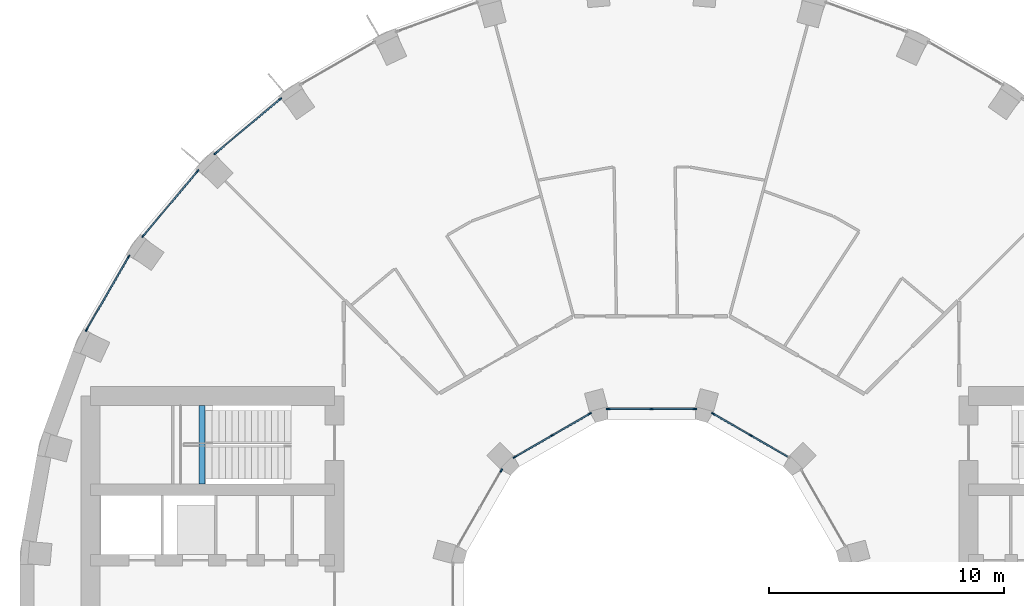
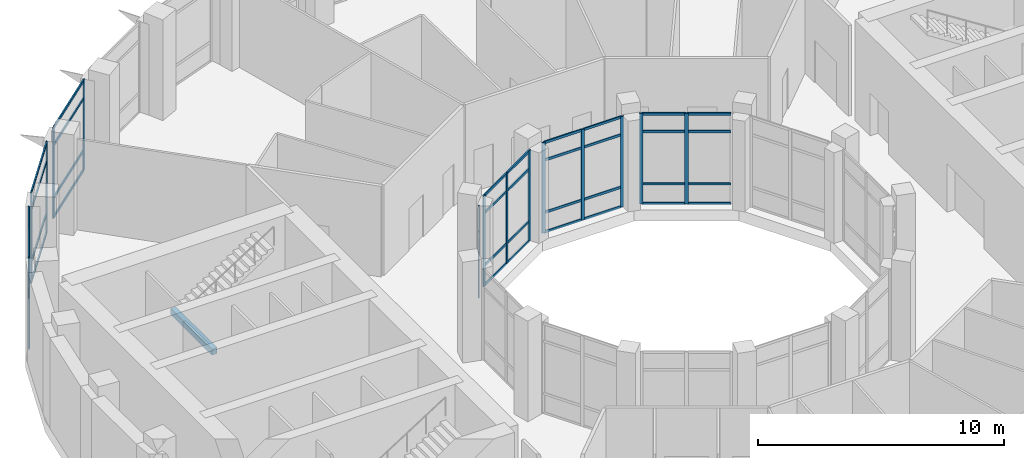
# One storey, part 6 of 18: 51 members, 1 beam, 7 elements without a shape of their own.
"""IFC4 building model written with IfcOpenShell, lengths in metres."""

from ifc_helpers import new_model, si_unit, direction, frame, origin, origin_2d, place, context, subcontext, project, spatial, rectangle, extrude, material, layer, layer_set, material_profile, profile_set, type_object, element, aggregate, save


model = new_model("IFC4")

# Units and contexts
model_context = context("Model", 3, precision=1e-05, world=origin(), true_north=direction((0.0, 1.0)))
body_context = subcontext(model_context, "Body", "Model", "MODEL_VIEW")
ifc_project = project(units=[si_unit("LENGTHUNIT", "METRE"), si_unit("AREAUNIT", "SQUARE_METRE"), si_unit("VOLUMEUNIT", "CUBIC_METRE"), si_unit("PLANEANGLEUNIT", "RADIAN"), si_unit("MASSUNIT", "GRAM", prefix="KILO")], contexts=[model_context])

# Site, building, storey
site_placement = place(None, origin())
site = spatial("IfcSite", under=ifc_project, at=site_placement, CompositionType="ELEMENT")
building_placement = place(site_placement, origin())
building = spatial("IfcBuilding", under=site, at=building_placement, Name="Saqina Gate Tower", CompositionType="ELEMENT")
storey_placement = place(building_placement, frame((0.0, 0.0, 86.89990234375)))
storey = spatial("IfcBuildingStorey", under=building, at=storey_placement, Name="L24", CompositionType="ELEMENT", Elevation=86.89990234375)

# Curtain wall, members
ifc_material_1 = material(Name="Aluminium glazing", Category="aluminium")
ifc_layer_1 = layer(ifc_material_1, 0.159912109375)
ifc_layer_set_1 = layer_set([ifc_layer_1], Name="CWT-2")
curtain_wall_type_1 = type_object("IfcCurtainWallType", Name="CWT-2", PredefinedType="NOTDEFINED", material=ifc_layer_set_1)
curtain_wall_1_placement = place(storey_placement, origin())
curtain_wall_1 = element("IfcCurtainWall", 1, at=curtain_wall_1_placement, inside=storey, type_object=curtain_wall_type_1, Name="Sky lounge glazing facet 13", PredefinedType="NOTDEFINED")
ifc_material_2 = material(Name="Aluminium", Category="aluminium")
ifc_material_profile_1 = material_profile(ifc_material_2, rectangle(XDim=0.06005859375, YDim=0.159912109375, at=origin_2d()), Name="Aluminium 60x160")
ifc_profile_set_1 = profile_set([ifc_material_profile_1], Name="Aluminium")
member_type_1 = type_object("IfcMemberType", Name="CWT-2M", PredefinedType="MULLION", material=ifc_profile_set_1)
member_1_placement = place(storey_placement, frame((-15.818603515625, 21.642822265625, 0.0), z_axis=(0.0, 0.0, 1.0), x_axis=(0.642790825553, -0.766041744675, 0.0)))
member_1 = element("IfcMember", 2, at=member_1_placement, type_object=member_type_1, Name="CW2-13 mullion 1", PredefinedType="MULLION", context=body_context, shape_type="SweptSolid", body=[
    extrude(rectangle(XDim=0.06005859375, YDim=0.159912109375, at=origin_2d()), origin(), (0.0, 0.0, 1.0), 4.5),
])
member_2_placement = place(storey_placement, frame((-18.567138671875, 19.33642578125, 0.0), z_axis=(0.0, 0.0, 1.0), x_axis=(0.642790825553, -0.766041744675, 0.0)))
member_2 = element("IfcMember", 3, at=member_2_placement, type_object=member_type_1, Name="CW2-13 mullion 2", PredefinedType="MULLION", context=body_context, shape_type="SweptSolid", body=[
    extrude(rectangle(XDim=0.06005859375, YDim=0.159912109375, at=origin_2d()), origin(), (0.0, 0.0, 1.0), 4.5),
])

curtain_wall_2_placement = place(storey_placement, origin())
curtain_wall_2 = element("IfcCurtainWall", 4, at=curtain_wall_2_placement, inside=storey, type_object=curtain_wall_type_1, Name="Sky lounge glazing facet 14", PredefinedType="NOTDEFINED")
member_3_placement = place(storey_placement, frame((-19.33642578125, 18.567138671875, 0.0), z_axis=(0.0, 0.0, 1.0), x_axis=(0.766041744675, -0.642790825553, 0.0)))
member_3 = element("IfcMember", 5, at=member_3_placement, type_object=member_type_1, Name="CW2-14 mullion 1", PredefinedType="MULLION", context=body_context, shape_type="SweptSolid", body=[
    extrude(rectangle(XDim=0.06005859375, YDim=0.159912109375, at=origin_2d()), origin(), (0.0, 0.0, 1.0), 4.5),
])
member_4_placement = place(storey_placement, frame((-21.642822265625, 15.818603515625, 0.0), z_axis=(0.0, 0.0, 1.0), x_axis=(0.766041744675, -0.642790825553, 0.0)))
member_4 = element("IfcMember", 6, at=member_4_placement, type_object=member_type_1, Name="CW2-14 mullion 2", PredefinedType="MULLION", context=body_context, shape_type="SweptSolid", body=[
    extrude(rectangle(XDim=0.06005859375, YDim=0.159912109375, at=origin_2d()), origin(), (0.0, 0.0, 1.0), 4.5),
])

curtain_wall_3_placement = place(storey_placement, origin())
curtain_wall_3 = element("IfcCurtainWall", 7, at=curtain_wall_3_placement, inside=storey, type_object=curtain_wall_type_1, Name="Sky lounge glazing facet 15", PredefinedType="NOTDEFINED")
member_5_placement = place(storey_placement, frame((-22.266845703125, 14.92724609375, 0.0), z_axis=(0.0, 0.0, 1.0), x_axis=(0.86602626266, -0.499998512381, 0.0)))
member_5 = element("IfcMember", 8, at=member_5_placement, type_object=member_type_1, Name="CW2-15 mullion 1", PredefinedType="MULLION", context=body_context, shape_type="SweptSolid", body=[
    extrude(rectangle(XDim=0.06005859375, YDim=0.159912109375, at=origin_2d()), origin(), (0.0, 0.0, 1.0), 4.5),
])
member_6_placement = place(storey_placement, frame((-24.060791015625, 11.820068359375, 0.0), z_axis=(0.0, 0.0, 1.0), x_axis=(0.86602626266, -0.499998512381, 0.0)))
member_6 = element("IfcMember", 9, at=member_6_placement, type_object=member_type_1, Name="CW2-15 mullion 2", PredefinedType="MULLION", context=body_context, shape_type="SweptSolid", body=[
    extrude(rectangle(XDim=0.06005859375, YDim=0.159912109375, at=origin_2d()), origin(), (0.0, 0.0, 1.0), 4.5),
])

# Member
ifc_material_3 = material(Name="Aluminium", Category="aluminium")
ifc_material_profile_2 = material_profile(ifc_material_3, rectangle(XDim=0.06005859375, YDim=0.1201171875, at=origin_2d()), Name="Aluminium 60x120")
ifc_profile_set_2 = profile_set([ifc_material_profile_2], Name="Aluminium")
member_type_2 = type_object("IfcMemberType", Name="CWT-2T", PredefinedType="USERDEFINED", material=ifc_profile_set_2)
member_7_placement = place(storey_placement, frame((-15.841552734375, 21.62353515625, 0.030029296875), z_axis=(-0.766010155434, -0.642828469945, 0.0), x_axis=(0.642828469945, -0.766010155434, 0.0)))
member_7 = element("IfcMember", 10, at=member_7_placement, type_object=member_type_2, Name="CW2-13 transom 1.1", ObjectType="TRANSOM", PredefinedType="USERDEFINED", context=body_context, shape_type="SweptSolid", body=[
    extrude(rectangle(XDim=0.06005859375, YDim=0.1201171875, at=origin_2d()), origin(), (0.0, 0.0, 1.0), 3.52783203125),
])

member_8_placement = place(storey_placement, frame((-15.841552734375, 21.62353515625, 1.0), z_axis=(-0.766010155434, -0.642828469945, 0.0), x_axis=(0.642828469945, -0.766010155434, 0.0)))
member_8 = element("IfcMember", 11, at=member_8_placement, type_object=member_type_2, Name="CW2-13 transom 1.2", ObjectType="TRANSOM", PredefinedType="USERDEFINED", context=body_context, shape_type="SweptSolid", body=[
    extrude(rectangle(XDim=0.06005859375, YDim=0.1201171875, at=origin_2d()), origin(), (0.0, 0.0, 1.0), 3.52783203125),
])

member_9_placement = place(storey_placement, frame((-15.841552734375, 21.62353515625, 3.60009765625), z_axis=(-0.766010155434, -0.642828469945, 0.0), x_axis=(0.642828469945, -0.766010155434, 0.0)))
member_9 = element("IfcMember", 12, at=member_9_placement, type_object=member_type_2, Name="CW2-13 transom 1.3", ObjectType="TRANSOM", PredefinedType="USERDEFINED", context=body_context, shape_type="SweptSolid", body=[
    extrude(rectangle(XDim=0.06005859375, YDim=0.1201171875, at=origin_2d()), origin(), (0.0, 0.0, 1.0), 3.52783203125),
])

member_10_placement = place(storey_placement, frame((-15.841552734375, 21.62353515625, 4.47021484375), z_axis=(-0.766010155434, -0.642828469945, 0.0), x_axis=(0.642828469945, -0.766010155434, 0.0)))
member_10 = element("IfcMember", 13, at=member_10_placement, type_object=member_type_2, Name="CW2-13 transom 1.4", ObjectType="TRANSOM", PredefinedType="USERDEFINED", context=body_context, shape_type="SweptSolid", body=[
    extrude(rectangle(XDim=0.06005859375, YDim=0.1201171875, at=origin_2d()), origin(), (0.0, 0.0, 1.0), 3.52783203125),
])

aggregate(curtain_wall_1, [member_1, member_2, member_7, member_8, member_9, member_10])

member_11_placement = place(storey_placement, frame((-19.355712890625, 18.5439453125, 0.030029296875), z_axis=(-0.642828469945, -0.766010155434, 0.0), x_axis=(0.766010155434, -0.642828469945, 0.0)))
member_11 = element("IfcMember", 14, at=member_11_placement, type_object=member_type_2, Name="CW2-14 transom 1.1", ObjectType="TRANSOM", PredefinedType="USERDEFINED", context=body_context, shape_type="SweptSolid", body=[
    extrude(rectangle(XDim=0.06005859375, YDim=0.1201171875, at=origin_2d()), origin(), (0.0, 0.0, 1.0), 3.52783203125),
])

member_12_placement = place(storey_placement, frame((-19.355712890625, 18.5439453125, 1.0), z_axis=(-0.642828469945, -0.766010155434, 0.0), x_axis=(0.766010155434, -0.642828469945, 0.0)))
member_12 = element("IfcMember", 15, at=member_12_placement, type_object=member_type_2, Name="CW2-14 transom 1.2", ObjectType="TRANSOM", PredefinedType="USERDEFINED", context=body_context, shape_type="SweptSolid", body=[
    extrude(rectangle(XDim=0.06005859375, YDim=0.1201171875, at=origin_2d()), origin(), (0.0, 0.0, 1.0), 3.52783203125),
])

member_13_placement = place(storey_placement, frame((-19.355712890625, 18.5439453125, 3.60009765625), z_axis=(-0.642828469945, -0.766010155434, 0.0), x_axis=(0.766010155434, -0.642828469945, 0.0)))
member_13 = element("IfcMember", 16, at=member_13_placement, type_object=member_type_2, Name="CW2-14 transom 1.3", ObjectType="TRANSOM", PredefinedType="USERDEFINED", context=body_context, shape_type="SweptSolid", body=[
    extrude(rectangle(XDim=0.06005859375, YDim=0.1201171875, at=origin_2d()), origin(), (0.0, 0.0, 1.0), 3.52783203125),
])

member_14_placement = place(storey_placement, frame((-19.355712890625, 18.5439453125, 4.47021484375), z_axis=(-0.642828469945, -0.766010155434, 0.0), x_axis=(0.766010155434, -0.642828469945, 0.0)))
member_14 = element("IfcMember", 17, at=member_14_placement, type_object=member_type_2, Name="CW2-14 transom 1.4", ObjectType="TRANSOM", PredefinedType="USERDEFINED", context=body_context, shape_type="SweptSolid", body=[
    extrude(rectangle(XDim=0.06005859375, YDim=0.1201171875, at=origin_2d()), origin(), (0.0, 0.0, 1.0), 3.52783203125),
])

aggregate(curtain_wall_2, [member_3, member_4, member_11, member_12, member_13, member_14])

member_15_placement = place(storey_placement, frame((-22.281982421875, 14.901123046875, 0.030029296875), z_axis=(-0.500002010285, -0.866024243143, 0.0), x_axis=(0.866024243143, -0.500002010285, 0.0)))
member_15 = element("IfcMember", 18, at=member_15_placement, type_object=member_type_2, Name="CW2-15 transom 1.1", ObjectType="TRANSOM", PredefinedType="USERDEFINED", context=body_context, shape_type="SweptSolid", body=[
    extrude(rectangle(XDim=0.06005859375, YDim=0.1201171875, at=origin_2d()), origin(), (0.0, 0.0, 1.0), 3.52783203125),
])

member_16_placement = place(storey_placement, frame((-22.281982421875, 14.901123046875, 1.0), z_axis=(-0.500002010285, -0.866024243143, 0.0), x_axis=(0.866024243143, -0.500002010285, 0.0)))
member_16 = element("IfcMember", 19, at=member_16_placement, type_object=member_type_2, Name="CW2-15 transom 1.2", ObjectType="TRANSOM", PredefinedType="USERDEFINED", context=body_context, shape_type="SweptSolid", body=[
    extrude(rectangle(XDim=0.06005859375, YDim=0.1201171875, at=origin_2d()), origin(), (0.0, 0.0, 1.0), 3.52783203125),
])

member_17_placement = place(storey_placement, frame((-22.281982421875, 14.901123046875, 3.60009765625), z_axis=(-0.500002010285, -0.866024243143, 0.0), x_axis=(0.866024243143, -0.500002010285, 0.0)))
member_17 = element("IfcMember", 20, at=member_17_placement, type_object=member_type_2, Name="CW2-15 transom 1.3", ObjectType="TRANSOM", PredefinedType="USERDEFINED", context=body_context, shape_type="SweptSolid", body=[
    extrude(rectangle(XDim=0.06005859375, YDim=0.1201171875, at=origin_2d()), origin(), (0.0, 0.0, 1.0), 3.52783203125),
])

member_18_placement = place(storey_placement, frame((-22.281982421875, 14.901123046875, 4.47021484375), z_axis=(-0.500002010285, -0.866024243143, 0.0), x_axis=(0.866024243143, -0.500002010285, 0.0)))
member_18 = element("IfcMember", 21, at=member_18_placement, type_object=member_type_2, Name="CW2-15 transom 1.4", ObjectType="TRANSOM", PredefinedType="USERDEFINED", context=body_context, shape_type="SweptSolid", body=[
    extrude(rectangle(XDim=0.06005859375, YDim=0.1201171875, at=origin_2d()), origin(), (0.0, 0.0, 1.0), 3.52783203125),
])

aggregate(curtain_wall_3, [member_5, member_6, member_15, member_16, member_17, member_18])

# Curtain wall, members
ifc_material_4 = material(Name="Aluminium glazing", Category="aluminium")
ifc_layer_2 = layer(ifc_material_4, 0.159912109375)
ifc_layer_set_2 = layer_set([ifc_layer_2], Name="CWT-3")
curtain_wall_type_2 = type_object("IfcCurtainWallType", Name="CWT-3", PredefinedType="NOTDEFINED", material=ifc_layer_set_2)
curtain_wall_4_placement = place(storey_placement, origin())
curtain_wall_4 = element("IfcCurtainWall", 22, at=curtain_wall_4_placement, inside=storey, type_object=curtain_wall_type_2, Name="Sky lounge well glazing L24 facet 2", PredefinedType="NOTDEFINED")
ifc_material_5 = material(Name="Aluminium", Category="aluminium")
ifc_material_profile_3 = material_profile(ifc_material_5, rectangle(XDim=0.06005859375, YDim=0.159912109375, at=origin_2d()), Name="Aluminium 60x160")
ifc_profile_set_3 = profile_set([ifc_material_profile_3], Name="Aluminium")
member_type_3 = type_object("IfcMemberType", Name="CWT-3M", PredefinedType="MULLION", material=ifc_profile_set_3)
member_19_placement = place(storey_placement, frame((4.22509765625, 7.31787109375, 0.0), z_axis=(0.0, 0.0, 1.0), x_axis=(-0.499993482823, -0.866029166445, 0.0)))
member_19 = element("IfcMember", 23, at=member_19_placement, type_object=member_type_3, Name="CW3-02 mullion 2", PredefinedType="MULLION", context=body_context, shape_type="SweptSolid", body=[
    extrude(rectangle(XDim=0.06005859375, YDim=0.159912109375, at=origin_2d()), origin(), (0.0, 0.0, 1.0), 4.5),
])
member_20_placement = place(storey_placement, frame((2.628173828125, 8.23974609375, 0.0), z_axis=(0.0, 0.0, 1.0), x_axis=(-0.499993482823, -0.866029166445, 0.0)))
member_20 = element("IfcMember", 24, at=member_20_placement, type_object=member_type_3, Name="CW3-02 mullion 3", PredefinedType="MULLION", context=body_context, shape_type="SweptSolid", body=[
    extrude(rectangle(XDim=0.06005859375, YDim=0.159912109375, at=origin_2d()), origin(), (0.0, 0.0, 1.0), 4.5),
])

curtain_wall_5_placement = place(storey_placement, origin())
curtain_wall_5 = element("IfcCurtainWall", 25, at=curtain_wall_5_placement, inside=storey, type_object=curtain_wall_type_2, Name="Sky lounge well glazing L24 facet 3", PredefinedType="NOTDEFINED")
member_21_placement = place(storey_placement, frame((1.84375, 8.449951171875, 0.0), z_axis=(0.0, 0.0, 1.0), x_axis=(0.0, -1.0, 0.0)))
member_21 = element("IfcMember", 26, at=member_21_placement, type_object=member_type_3, Name="CW3-03 mullion 1", PredefinedType="MULLION", context=body_context, shape_type="SweptSolid", body=[
    extrude(rectangle(XDim=0.06005859375, YDim=0.159912109375, at=origin_2d()), origin(), (0.0, 0.0, 1.0), 4.5),
])
member_22_placement = place(storey_placement, frame((0.0, 8.449951171875, 0.0), z_axis=(0.0, 0.0, 1.0), x_axis=(0.0, -1.0, 0.0)))
member_22 = element("IfcMember", 27, at=member_22_placement, type_object=member_type_3, Name="CW3-03 mullion 2", PredefinedType="MULLION", context=body_context, shape_type="SweptSolid", body=[
    extrude(rectangle(XDim=0.06005859375, YDim=0.159912109375, at=origin_2d()), origin(), (0.0, 0.0, 1.0), 4.5),
])
member_23_placement = place(storey_placement, frame((-1.84375, 8.449951171875, 0.0), z_axis=(0.0, 0.0, 1.0), x_axis=(0.0, -1.0, 0.0)))
member_23 = element("IfcMember", 28, at=member_23_placement, type_object=member_type_3, Name="CW3-03 mullion 3", PredefinedType="MULLION", context=body_context, shape_type="SweptSolid", body=[
    extrude(rectangle(XDim=0.06005859375, YDim=0.159912109375, at=origin_2d()), origin(), (0.0, 0.0, 1.0), 4.5),
])

curtain_wall_6_placement = place(storey_placement, origin())
curtain_wall_6 = element("IfcCurtainWall", 29, at=curtain_wall_6_placement, inside=storey, type_object=curtain_wall_type_2, Name="Sky lounge well glazing L24 facet 4", PredefinedType="NOTDEFINED")
member_24_placement = place(storey_placement, frame((-2.628173828125, 8.23974609375, 0.0), z_axis=(0.0, 0.0, 1.0), x_axis=(0.499993482823, -0.866029166445, 0.0)))
member_24 = element("IfcMember", 30, at=member_24_placement, type_object=member_type_3, Name="CW3-04 mullion 1", PredefinedType="MULLION", context=body_context, shape_type="SweptSolid", body=[
    extrude(rectangle(XDim=0.06005859375, YDim=0.159912109375, at=origin_2d()), origin(), (0.0, 0.0, 1.0), 4.5),
])
member_25_placement = place(storey_placement, frame((-4.22509765625, 7.31787109375, 0.0), z_axis=(0.0, 0.0, 1.0), x_axis=(0.499993482823, -0.866029166445, 0.0)))
member_25 = element("IfcMember", 31, at=member_25_placement, type_object=member_type_3, Name="CW3-04 mullion 2", PredefinedType="MULLION", context=body_context, shape_type="SweptSolid", body=[
    extrude(rectangle(XDim=0.06005859375, YDim=0.159912109375, at=origin_2d()), origin(), (0.0, 0.0, 1.0), 4.5),
])
member_26_placement = place(storey_placement, frame((-5.82177734375, 6.39599609375, 0.0), z_axis=(0.0, 0.0, 1.0), x_axis=(0.499993482823, -0.866029166445, 0.0)))
member_26 = element("IfcMember", 32, at=member_26_placement, type_object=member_type_3, Name="CW3-04 mullion 3", PredefinedType="MULLION", context=body_context, shape_type="SweptSolid", body=[
    extrude(rectangle(XDim=0.06005859375, YDim=0.159912109375, at=origin_2d()), origin(), (0.0, 0.0, 1.0), 4.5),
])

# Curtain wall, member
curtain_wall_7_placement = place(storey_placement, origin())
curtain_wall_7 = element("IfcCurtainWall", 33, at=curtain_wall_7_placement, inside=storey, type_object=curtain_wall_type_2, Name="Sky lounge well glazing L24 facet 5", PredefinedType="NOTDEFINED")
member_27_placement = place(storey_placement, frame((-6.39599609375, 5.82177734375, 0.0), z_axis=(0.0, 0.0, 1.0), x_axis=(0.866029166445, -0.499993482823, 0.0)))
member_27 = element("IfcMember", 34, at=member_27_placement, type_object=member_type_3, Name="CW3-05 mullion 1", PredefinedType="MULLION", context=body_context, shape_type="SweptSolid", body=[
    extrude(rectangle(XDim=0.06005859375, YDim=0.159912109375, at=origin_2d()), origin(), (0.0, 0.0, 1.0), 4.5),
])
aggregate(curtain_wall_7, [member_27])

# Member
ifc_material_6 = material(Name="Aluminium", Category="aluminium")
ifc_material_profile_4 = material_profile(ifc_material_6, rectangle(XDim=0.06005859375, YDim=0.1201171875, at=origin_2d()), Name="Aluminium 60x120")
ifc_profile_set_4 = profile_set([ifc_material_profile_4], Name="Aluminium")
member_type_4 = type_object("IfcMemberType", Name="CWT-3T", PredefinedType="USERDEFINED", material=ifc_profile_set_4)
member_28_placement = place(storey_placement, frame((5.795654296875, 6.4111328125, 0.030029296875), z_axis=(-0.866019189511, 0.500010763282, 0.0), x_axis=(-0.500010763282, -0.866019189511, 0.0)))
member_28 = element("IfcMember", 35, at=member_28_placement, type_object=member_type_4, Name="CW3-02 transom 1.1", ObjectType="TRANSOM", PredefinedType="USERDEFINED", context=body_context, shape_type="SweptSolid", body=[
    extrude(rectangle(XDim=0.06005859375, YDim=0.1201171875, at=origin_2d()), origin(), (0.0, 0.0, 1.0), 1.78369140625),
])

member_29_placement = place(storey_placement, frame((5.795654296875, 6.4111328125, 1.0), z_axis=(-0.866019189511, 0.500010763282, 0.0), x_axis=(-0.500010763282, -0.866019189511, 0.0)))
member_29 = element("IfcMember", 36, at=member_29_placement, type_object=member_type_4, Name="CW3-02 transom 1.2", ObjectType="TRANSOM", PredefinedType="USERDEFINED", context=body_context, shape_type="SweptSolid", body=[
    extrude(rectangle(XDim=0.06005859375, YDim=0.1201171875, at=origin_2d()), origin(), (0.0, 0.0, 1.0), 1.78369140625),
])

member_30_placement = place(storey_placement, frame((5.795654296875, 6.4111328125, 3.60009765625), z_axis=(-0.866019189511, 0.500010763282, 0.0), x_axis=(-0.500010763282, -0.866019189511, 0.0)))
member_30 = element("IfcMember", 37, at=member_30_placement, type_object=member_type_4, Name="CW3-02 transom 1.3", ObjectType="TRANSOM", PredefinedType="USERDEFINED", context=body_context, shape_type="SweptSolid", body=[
    extrude(rectangle(XDim=0.06005859375, YDim=0.1201171875, at=origin_2d()), origin(), (0.0, 0.0, 1.0), 1.78369140625),
])

member_31_placement = place(storey_placement, frame((5.795654296875, 6.4111328125, 4.47021484375), z_axis=(-0.866019189511, 0.500010763282, 0.0), x_axis=(-0.500010763282, -0.866019189511, 0.0)))
member_31 = element("IfcMember", 38, at=member_31_placement, type_object=member_type_4, Name="CW3-02 transom 1.4", ObjectType="TRANSOM", PredefinedType="USERDEFINED", context=body_context, shape_type="SweptSolid", body=[
    extrude(rectangle(XDim=0.06005859375, YDim=0.1201171875, at=origin_2d()), origin(), (0.0, 0.0, 1.0), 1.78369140625),
])

member_32_placement = place(storey_placement, frame((4.198974609375, 7.3330078125, 0.030029296875), z_axis=(-0.866019189511, 0.500010763282, 0.0), x_axis=(-0.500010763282, -0.866019189511, 0.0)))
member_32 = element("IfcMember", 39, at=member_32_placement, type_object=member_type_4, Name="CW3-02 transom 2.1", ObjectType="TRANSOM", PredefinedType="USERDEFINED", context=body_context, shape_type="SweptSolid", body=[
    extrude(rectangle(XDim=0.06005859375, YDim=0.1201171875, at=origin_2d()), origin(), (0.0, 0.0, 1.0), 1.78369140625),
])

member_33_placement = place(storey_placement, frame((4.198974609375, 7.3330078125, 1.0), z_axis=(-0.866019189511, 0.500010763282, 0.0), x_axis=(-0.500010763282, -0.866019189511, 0.0)))
member_33 = element("IfcMember", 40, at=member_33_placement, type_object=member_type_4, Name="CW3-02 transom 2.2", ObjectType="TRANSOM", PredefinedType="USERDEFINED", context=body_context, shape_type="SweptSolid", body=[
    extrude(rectangle(XDim=0.06005859375, YDim=0.1201171875, at=origin_2d()), origin(), (0.0, 0.0, 1.0), 1.78369140625),
])

member_34_placement = place(storey_placement, frame((4.198974609375, 7.3330078125, 3.60009765625), z_axis=(-0.866019189511, 0.500010763282, 0.0), x_axis=(-0.500010763282, -0.866019189511, 0.0)))
member_34 = element("IfcMember", 41, at=member_34_placement, type_object=member_type_4, Name="CW3-02 transom 2.3", ObjectType="TRANSOM", PredefinedType="USERDEFINED", context=body_context, shape_type="SweptSolid", body=[
    extrude(rectangle(XDim=0.06005859375, YDim=0.1201171875, at=origin_2d()), origin(), (0.0, 0.0, 1.0), 1.78369140625),
])

member_35_placement = place(storey_placement, frame((4.198974609375, 7.3330078125, 4.47021484375), z_axis=(-0.866019189511, 0.500010763282, 0.0), x_axis=(-0.500010763282, -0.866019189511, 0.0)))
member_35 = element("IfcMember", 42, at=member_35_placement, type_object=member_type_4, Name="CW3-02 transom 2.4", ObjectType="TRANSOM", PredefinedType="USERDEFINED", context=body_context, shape_type="SweptSolid", body=[
    extrude(rectangle(XDim=0.06005859375, YDim=0.1201171875, at=origin_2d()), origin(), (0.0, 0.0, 1.0), 1.78369140625),
])

aggregate(curtain_wall_4, [member_19, member_20, member_28, member_29, member_30, member_31, member_32, member_33, member_34, member_35])

member_36_placement = place(storey_placement, frame((1.813720703125, 8.449951171875, 0.030029296875), z_axis=(-1.0, 0.0, 0.0), x_axis=(0.0, -1.0, 0.0)))
member_36 = element("IfcMember", 43, at=member_36_placement, type_object=member_type_4, Name="CW3-03 transom 1.1", ObjectType="TRANSOM", PredefinedType="USERDEFINED", context=body_context, shape_type="SweptSolid", body=[
    extrude(rectangle(XDim=0.06005859375, YDim=0.1201171875, at=origin_2d()), origin(), (0.0, 0.0, 1.0), 1.78369140625),
])

member_37_placement = place(storey_placement, frame((1.813720703125, 8.449951171875, 1.0), z_axis=(-1.0, 0.0, 0.0), x_axis=(0.0, -1.0, 0.0)))
member_37 = element("IfcMember", 44, at=member_37_placement, type_object=member_type_4, Name="CW3-03 transom 1.2", ObjectType="TRANSOM", PredefinedType="USERDEFINED", context=body_context, shape_type="SweptSolid", body=[
    extrude(rectangle(XDim=0.06005859375, YDim=0.1201171875, at=origin_2d()), origin(), (0.0, 0.0, 1.0), 1.78369140625),
])

member_38_placement = place(storey_placement, frame((1.813720703125, 8.449951171875, 3.60009765625), z_axis=(-1.0, 0.0, 0.0), x_axis=(0.0, -1.0, 0.0)))
member_38 = element("IfcMember", 45, at=member_38_placement, type_object=member_type_4, Name="CW3-03 transom 1.3", ObjectType="TRANSOM", PredefinedType="USERDEFINED", context=body_context, shape_type="SweptSolid", body=[
    extrude(rectangle(XDim=0.06005859375, YDim=0.1201171875, at=origin_2d()), origin(), (0.0, 0.0, 1.0), 1.78369140625),
])

member_39_placement = place(storey_placement, frame((1.813720703125, 8.449951171875, 4.47021484375), z_axis=(-1.0, 0.0, 0.0), x_axis=(0.0, -1.0, 0.0)))
member_39 = element("IfcMember", 46, at=member_39_placement, type_object=member_type_4, Name="CW3-03 transom 1.4", ObjectType="TRANSOM", PredefinedType="USERDEFINED", context=body_context, shape_type="SweptSolid", body=[
    extrude(rectangle(XDim=0.06005859375, YDim=0.1201171875, at=origin_2d()), origin(), (0.0, 0.0, 1.0), 1.78369140625),
])

member_40_placement = place(storey_placement, frame((-0.030029296875, 8.449951171875, 0.030029296875), z_axis=(-1.0, 0.0, 0.0), x_axis=(0.0, -1.0, 0.0)))
member_40 = element("IfcMember", 47, at=member_40_placement, type_object=member_type_4, Name="CW3-03 transom 2.1", ObjectType="TRANSOM", PredefinedType="USERDEFINED", context=body_context, shape_type="SweptSolid", body=[
    extrude(rectangle(XDim=0.06005859375, YDim=0.1201171875, at=origin_2d()), origin(), (0.0, 0.0, 1.0), 1.78369140625),
])

member_41_placement = place(storey_placement, frame((-0.030029296875, 8.449951171875, 1.0), z_axis=(-1.0, 0.0, 0.0), x_axis=(0.0, -1.0, 0.0)))
member_41 = element("IfcMember", 48, at=member_41_placement, type_object=member_type_4, Name="CW3-03 transom 2.2", ObjectType="TRANSOM", PredefinedType="USERDEFINED", context=body_context, shape_type="SweptSolid", body=[
    extrude(rectangle(XDim=0.06005859375, YDim=0.1201171875, at=origin_2d()), origin(), (0.0, 0.0, 1.0), 1.78369140625),
])

member_42_placement = place(storey_placement, frame((-0.030029296875, 8.449951171875, 3.60009765625), z_axis=(-1.0, 0.0, 0.0), x_axis=(0.0, -1.0, 0.0)))
member_42 = element("IfcMember", 49, at=member_42_placement, type_object=member_type_4, Name="CW3-03 transom 2.3", ObjectType="TRANSOM", PredefinedType="USERDEFINED", context=body_context, shape_type="SweptSolid", body=[
    extrude(rectangle(XDim=0.06005859375, YDim=0.1201171875, at=origin_2d()), origin(), (0.0, 0.0, 1.0), 1.78369140625),
])

member_43_placement = place(storey_placement, frame((-0.030029296875, 8.449951171875, 4.47021484375), z_axis=(-1.0, 0.0, 0.0), x_axis=(0.0, -1.0, 0.0)))
member_43 = element("IfcMember", 50, at=member_43_placement, type_object=member_type_4, Name="CW3-03 transom 2.4", ObjectType="TRANSOM", PredefinedType="USERDEFINED", context=body_context, shape_type="SweptSolid", body=[
    extrude(rectangle(XDim=0.06005859375, YDim=0.1201171875, at=origin_2d()), origin(), (0.0, 0.0, 1.0), 1.78369140625),
])

aggregate(curtain_wall_5, [member_21, member_22, member_23, member_36, member_37, member_38, member_39, member_40, member_41, member_42, member_43])

member_44_placement = place(storey_placement, frame((-2.654296875, 8.224853515625, 0.030029296875), z_axis=(-0.866019189511, -0.500010763282, 0.0), x_axis=(0.500010763282, -0.866019189511, 0.0)))
member_44 = element("IfcMember", 51, at=member_44_placement, type_object=member_type_4, Name="CW3-04 transom 1.1", ObjectType="TRANSOM", PredefinedType="USERDEFINED", context=body_context, shape_type="SweptSolid", body=[
    extrude(rectangle(XDim=0.06005859375, YDim=0.1201171875, at=origin_2d()), origin(), (0.0, 0.0, 1.0), 1.78369140625),
])

member_45_placement = place(storey_placement, frame((-2.654296875, 8.224853515625, 1.0), z_axis=(-0.866019189511, -0.500010763282, 0.0), x_axis=(0.500010763282, -0.866019189511, 0.0)))
member_45 = element("IfcMember", 52, at=member_45_placement, type_object=member_type_4, Name="CW3-04 transom 1.2", ObjectType="TRANSOM", PredefinedType="USERDEFINED", context=body_context, shape_type="SweptSolid", body=[
    extrude(rectangle(XDim=0.06005859375, YDim=0.1201171875, at=origin_2d()), origin(), (0.0, 0.0, 1.0), 1.78369140625),
])

member_46_placement = place(storey_placement, frame((-2.654296875, 8.224853515625, 3.60009765625), z_axis=(-0.866019189511, -0.500010763282, 0.0), x_axis=(0.500010763282, -0.866019189511, 0.0)))
member_46 = element("IfcMember", 53, at=member_46_placement, type_object=member_type_4, Name="CW3-04 transom 1.3", ObjectType="TRANSOM", PredefinedType="USERDEFINED", context=body_context, shape_type="SweptSolid", body=[
    extrude(rectangle(XDim=0.06005859375, YDim=0.1201171875, at=origin_2d()), origin(), (0.0, 0.0, 1.0), 1.78369140625),
])

member_47_placement = place(storey_placement, frame((-2.654296875, 8.224853515625, 4.47021484375), z_axis=(-0.866019189511, -0.500010763282, 0.0), x_axis=(0.500010763282, -0.866019189511, 0.0)))
member_47 = element("IfcMember", 54, at=member_47_placement, type_object=member_type_4, Name="CW3-04 transom 1.4", ObjectType="TRANSOM", PredefinedType="USERDEFINED", context=body_context, shape_type="SweptSolid", body=[
    extrude(rectangle(XDim=0.06005859375, YDim=0.1201171875, at=origin_2d()), origin(), (0.0, 0.0, 1.0), 1.78369140625),
])

member_48_placement = place(storey_placement, frame((-4.2509765625, 7.302978515625, 0.030029296875), z_axis=(-0.866019189511, -0.500010763282, 0.0), x_axis=(0.500010763282, -0.866019189511, 0.0)))
member_48 = element("IfcMember", 55, at=member_48_placement, type_object=member_type_4, Name="CW3-04 transom 2.1", ObjectType="TRANSOM", PredefinedType="USERDEFINED", context=body_context, shape_type="SweptSolid", body=[
    extrude(rectangle(XDim=0.06005859375, YDim=0.1201171875, at=origin_2d()), origin(), (0.0, 0.0, 1.0), 1.78369140625),
])

member_49_placement = place(storey_placement, frame((-4.2509765625, 7.302978515625, 1.0), z_axis=(-0.866019189511, -0.500010763282, 0.0), x_axis=(0.500010763282, -0.866019189511, 0.0)))
member_49 = element("IfcMember", 56, at=member_49_placement, type_object=member_type_4, Name="CW3-04 transom 2.2", ObjectType="TRANSOM", PredefinedType="USERDEFINED", context=body_context, shape_type="SweptSolid", body=[
    extrude(rectangle(XDim=0.06005859375, YDim=0.1201171875, at=origin_2d()), origin(), (0.0, 0.0, 1.0), 1.78369140625),
])

member_50_placement = place(storey_placement, frame((-4.2509765625, 7.302978515625, 3.60009765625), z_axis=(-0.866019189511, -0.500010763282, 0.0), x_axis=(0.500010763282, -0.866019189511, 0.0)))
member_50 = element("IfcMember", 57, at=member_50_placement, type_object=member_type_4, Name="CW3-04 transom 2.3", ObjectType="TRANSOM", PredefinedType="USERDEFINED", context=body_context, shape_type="SweptSolid", body=[
    extrude(rectangle(XDim=0.06005859375, YDim=0.1201171875, at=origin_2d()), origin(), (0.0, 0.0, 1.0), 1.78369140625),
])

member_51_placement = place(storey_placement, frame((-4.2509765625, 7.302978515625, 4.47021484375), z_axis=(-0.866019189511, -0.500010763282, 0.0), x_axis=(0.500010763282, -0.866019189511, 0.0)))
member_51 = element("IfcMember", 58, at=member_51_placement, type_object=member_type_4, Name="CW3-04 transom 2.4", ObjectType="TRANSOM", PredefinedType="USERDEFINED", context=body_context, shape_type="SweptSolid", body=[
    extrude(rectangle(XDim=0.06005859375, YDim=0.1201171875, at=origin_2d()), origin(), (0.0, 0.0, 1.0), 1.78369140625),
])

aggregate(curtain_wall_6, [member_24, member_25, member_26, member_44, member_45, member_46, member_47, member_48, member_49, member_50, member_51])

# Beam
ifc_material_7 = material(Name="Concrete C40/50", Category="concrete")
ifc_material_profile_5 = material_profile(ifc_material_7, rectangle(XDim=0.25, YDim=0.300048828125, at=origin_2d()), Name="STAIR LANDING BEAM")
ifc_profile_set_5 = profile_set([ifc_material_profile_5], Name="Concrete C40/50")
beam_type = type_object("IfcBeamType", Name="STAIR LANDING BEAM", PredefinedType="BEAM", material=ifc_profile_set_5)
beam_placement = place(storey_placement, frame((-19.139892578125, 5.25, 2.10009765625), z_axis=(0.0, 1.0, 0.0), x_axis=(-1.0, 0.0, 0.0)))
element("IfcBeam", 59, at=beam_placement, inside=storey, type_object=beam_type, Name="EXIT STAIR 3 LANDING BEAM", PredefinedType="BEAM", context=body_context, shape_type="SweptSolid", body=[
    extrude(rectangle(XDim=0.25, YDim=0.300048828125, at=origin_2d()), origin(), (0.0, 0.0, 1.0), 3.35009765625),
])

save(model, "model.ifc")
